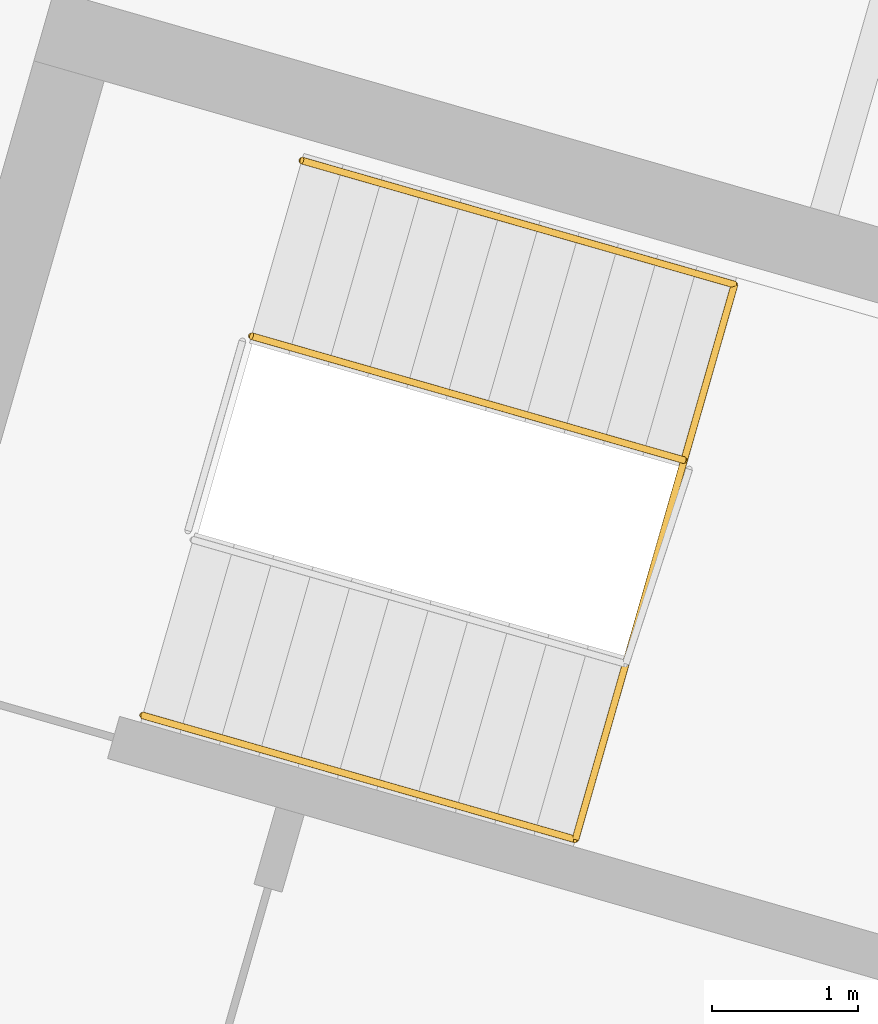
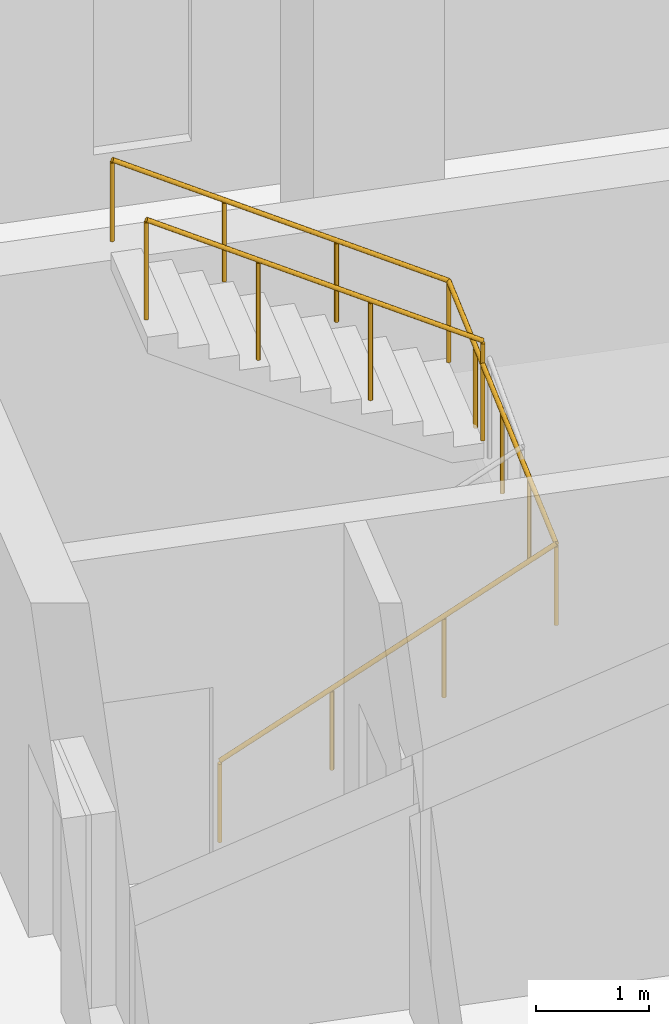
# One storey, part 9 of 9: 2 railings.
"""IFC4 building model written with IfcOpenShell, lengths in metres."""

from ifc_helpers import new_model, si_unit, direction, frame, origin, origin_2d, place, context, subcontext, project, spatial, circle, extrude, material, type_object, element, save


model = new_model("IFC4")

# Units and contexts
model_context = context("Model", 3, precision=1e-05, world=origin(), true_north=direction((0.0, 1.0)))
body_context = subcontext(model_context, "Body", "Model", "MODEL_VIEW")
ifc_project = project(units=[si_unit("LENGTHUNIT", "METRE"), si_unit("AREAUNIT", "SQUARE_METRE"), si_unit("VOLUMEUNIT", "CUBIC_METRE"), si_unit("PLANEANGLEUNIT", "RADIAN"), si_unit("MASSUNIT", "GRAM", prefix="KILO")], contexts=[model_context])

# Site, building, storey
site_placement = place(None, origin())
site = spatial("IfcSite", under=ifc_project, at=site_placement, CompositionType="ELEMENT")
building_placement = place(site_placement, origin())
building = spatial("IfcBuilding", under=site, at=building_placement, Name="Binnacle Exchange Tower", CompositionType="ELEMENT")
storey_placement = place(building_placement, frame((0.0, 0.0, 190.89990234375)))
storey = spatial("IfcBuildingStorey", under=building, at=storey_placement, Name="L41", CompositionType="ELEMENT", Elevation=190.89990234375)

# Railings
ifc_material_1 = material(Name="Steel guard rail", Category="steel")
railing_type_1 = type_object("IfcRailingType", Name="STAIR GUARD 1100", PredefinedType="GUARDRAIL", material=ifc_material_1)
railing_1_placement = place(storey_placement, frame((24.447021484375, 57.255126953125, 2.166748046875)))
element("IfcRailing", 1, at=railing_1_placement, inside=storey, type_object=railing_type_1, Name="L41 STD1 stair guard 2", PredefinedType="GUARDRAIL", context=body_context, shape_type="SweptSolid", body=[
    extrude(circle(Radius=0.02392578125, at=origin_2d()), frame((0.0, 0.0, 1.076171875), z_axis=(-0.826006950853, 0.236897186037, 0.511460888427), x_axis=(-0.27568413623, -0.961248280639, 0.0)), (0.0, 0.0, 1.0), 3.584228515625),
    extrude(circle(Radius=0.02099609375, at=origin_2d()), origin(), (0.0, 0.0, 1.0), 1.052001953125),
    extrude(circle(Radius=0.02099609375, at=origin_2d()), frame((-0.98681640625, 0.282958984375, 0.611083984375)), (0.0, 0.0, 1.0), 1.052001953125),
    extrude(circle(Radius=0.02099609375, at=origin_2d()), frame((-1.973876953125, 0.566162109375, 1.22216796875)), (0.0, 0.0, 1.0), 1.052001953125),
    extrude(circle(Radius=0.02099609375, at=origin_2d()), frame((-2.960693359375, 0.84912109375, 1.833251953125)), (0.0, 0.0, 1.0), 1.052001953125),
])
ifc_material_2 = material(Name="Steel handrail", Category="steel")
railing_type_2 = type_object("IfcRailingType", Name="STAIR HANDRAIL 900", PredefinedType="HANDRAIL", material=ifc_material_2)
railing_2_placement = place(storey_placement, frame((20.7421875, 55.5087890625, 0.166748046875)))
element("IfcRailing", 2, at=railing_2_placement, inside=storey, type_object=railing_type_2, Name="L41 STD1 stair handrail 1", PredefinedType="HANDRAIL", context=body_context, shape_type="SweptSolid", body=[
    extrude(circle(Radius=0.02392578125, at=origin_2d()), frame((0.0, 0.0, 0.8759765625), z_axis=(0.826020277534, -0.236832893954, 0.511469140266), x_axis=(0.275610892984, 0.961269283639, 0.0)), (0.0, 0.0, 1.0), 3.584228515625),
    extrude(circle(Radius=0.02392578125, at=origin_2d()), frame((2.960693359375, -0.848876953125, 2.708984375), z_axis=(0.275365570671, 0.960413849534, 0.042178668932), x_axis=(-0.961269298493, 0.275610841177, 0.0)), (0.0, 0.0, 1.0), 3.953369140625),
    extrude(circle(Radius=0.02392578125, at=origin_2d()), frame((4.04931640625, 2.947998046875, 2.8759765625), z_axis=(-0.826020277534, 0.236832893954, 0.511469140266), x_axis=(-0.275610892984, -0.961269283639, 0.0)), (0.0, 0.0, 1.0), 3.584228515625),
    extrude(circle(Radius=0.02099609375, at=origin_2d()), origin(), (0.0, 0.0, 1.0), 0.851806640625),
    extrude(circle(Radius=0.02099609375, at=origin_2d()), frame((0.98681640625, -0.282958984375, 0.611083984375)), (0.0, 0.0, 1.0), 0.851806640625),
    extrude(circle(Radius=0.02099609375, at=origin_2d()), frame((1.973876953125, -0.56591796875, 1.22216796875)), (0.0, 0.0, 1.0), 0.851806640625),
    extrude(circle(Radius=0.02099609375, at=origin_2d()), frame((2.960693359375, -0.848876953125, 1.833251953125)), (0.0, 0.0, 1.0), 0.851806640625),
    extrude(circle(Radius=0.02099609375, at=origin_2d()), frame((3.23291015625, 0.100341796875, 1.875)), (0.0, 0.0, 1.0), 0.851806640625),
    extrude(circle(Radius=0.02099609375, at=origin_2d()), frame((3.5048828125, 1.049560546875, 1.91650390625)), (0.0, 0.0, 1.0), 0.851806640625),
    extrude(circle(Radius=0.02099609375, at=origin_2d()), frame((3.777099609375, 1.998779296875, 1.958251953125)), (0.0, 0.0, 1.0), 0.851806640625),
    extrude(circle(Radius=0.02099609375, at=origin_2d()), frame((4.04931640625, 2.947998046875, 2.0)), (0.0, 0.0, 1.0), 0.851806640625),
    extrude(circle(Radius=0.02099609375, at=origin_2d()), frame((3.0625, 3.23095703125, 2.611083984375)), (0.0, 0.0, 1.0), 0.851806640625),
    extrude(circle(Radius=0.02099609375, at=origin_2d()), frame((2.075439453125, 3.513916015625, 3.22216796875)), (0.0, 0.0, 1.0), 0.851806640625),
    extrude(circle(Radius=0.02099609375, at=origin_2d()), frame((1.088623046875, 3.796875, 3.833251953125)), (0.0, 0.0, 1.0), 0.851806640625),
])

save(model, "model.ifc")
